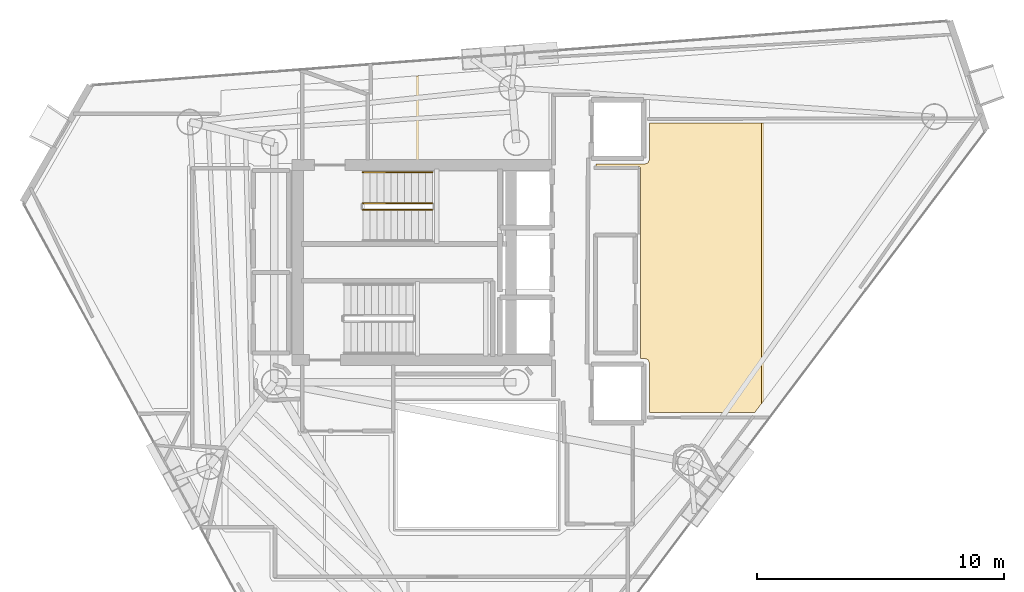
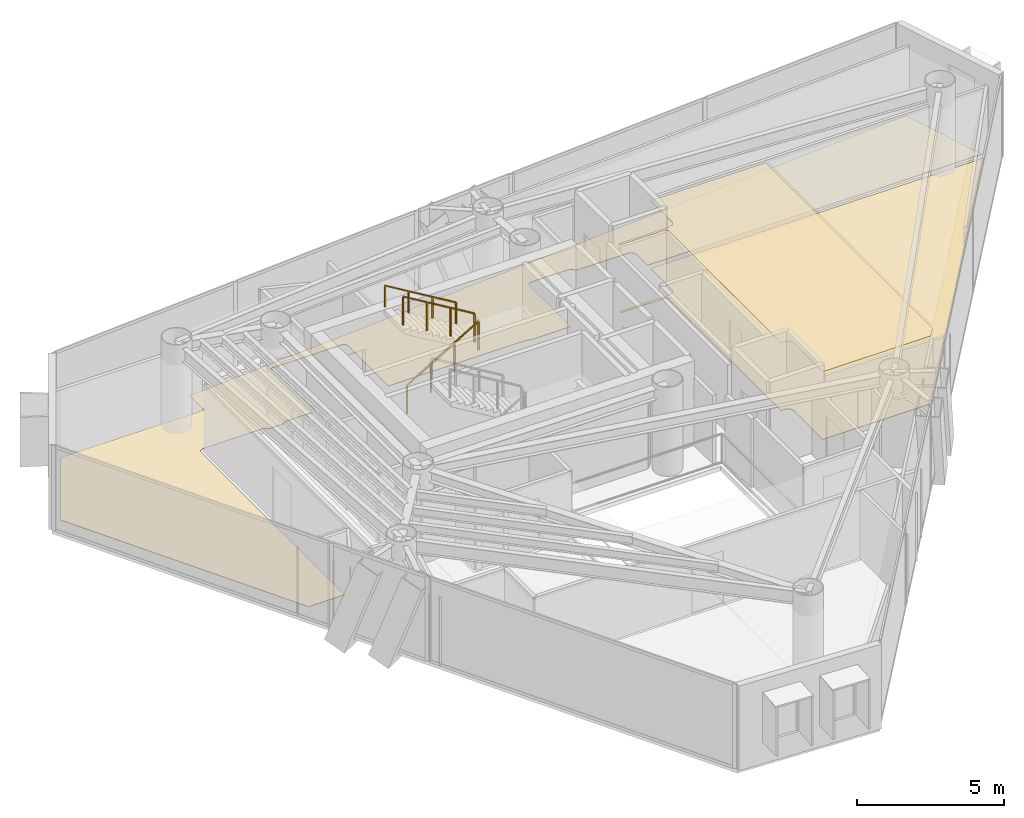
# One storey, part 18 of 19: 3 coverings, 3 railings.
"""IFC4 building model written with IfcOpenShell, lengths in metres."""

from ifc_helpers import new_model, si_unit, direction, frame, origin, origin_2d, place, context, subcontext, project, spatial, polyline, rectangle, outline, extrude, material, layer, layer_set, type_object, element, save


model = new_model("IFC4")

# Units and contexts
model_context = context("Model", 3, precision=1e-05, world=origin(), true_north=direction((0.0, 1.0)))
body_context = subcontext(model_context, "Body", "Model", "MODEL_VIEW")
ifc_project = project(units=[si_unit("LENGTHUNIT", "METRE"), si_unit("AREAUNIT", "SQUARE_METRE"), si_unit("VOLUMEUNIT", "CUBIC_METRE"), si_unit("PLANEANGLEUNIT", "RADIAN"), si_unit("MASSUNIT", "GRAM", prefix="KILO")], contexts=[model_context])

# Site, building, storey
site_placement = place(None, origin())
site = spatial("IfcSite", under=ifc_project, at=site_placement, CompositionType="ELEMENT")
building_placement = place(site_placement, origin())
building = spatial("IfcBuilding", under=site, at=building_placement, Name="Qianvela Tower", CompositionType="ELEMENT")
storey_placement = place(building_placement, frame((0.0, 0.0, 268.60009765625)))
storey = spatial("IfcBuildingStorey", under=building, at=storey_placement, Name="L69", CompositionType="ELEMENT", Elevation=268.60009765625)

# Coverings
ifc_material_1 = material(Name="Perforated Mineral Acoustic Ceiling Tile")
ifc_layer_1 = layer(ifc_material_1, 0.02490234375)
ifc_layer_set_1 = layer_set([ifc_layer_1], Name="Perforated Mineral Acoustic Ceiling Tile")
covering_type_1 = type_object("IfcCoveringType", Name="COV-CEIL-ACOUSTIC-25", PredefinedType="CEILING", material=ifc_layer_set_1)
covering_1_placement = place(storey_placement, frame((0.0, 0.0, 2.81494140625)))
element("IfcCovering", 1, at=covering_1_placement, inside=storey, type_object=covering_type_1, Name="L69 Acoustic Ceiling Bay 1 Media Practice Cinema L69-04", PredefinedType="CEILING", context=body_context, shape_type="SweptSolid", body=[
    extrude(outline(polyline([(43.426513671875, 24.826904296875), (43.428466796875, 24.83447265625), (43.4296875, 24.84228515625), (43.429931640625, 24.85009765625), (43.429931640625, 32.5), (43.4296875, 32.5078125), (43.428466796875, 32.515625), (43.426513671875, 32.523193359375), (43.423828125, 32.530517578125), (43.420654296875, 32.53759765625), (43.41650390625, 32.54443359375), (43.411865234375, 32.55078125), (43.406494140625, 32.556640625), (43.40087890625, 32.561767578125), (43.394287109375, 32.56640625), (43.3876953125, 32.570556640625), (43.380615234375, 32.573974609375), (43.373291015625, 32.57666015625), (43.365478515625, 32.57861328125), (43.35791015625, 32.57958984375), (43.35009765625, 32.580078125), (41.6220703125, 32.580078125), (41.6220703125, 32.679931640625), (43.580078125, 32.679931640625), (43.587890625, 32.680419921875), (43.595703125, 32.681396484375), (43.603271484375, 32.683349609375), (43.610595703125, 32.68603515625), (43.709716796875, 32.72705078125), (43.716796875, 32.73046875), (43.723388671875, 32.734619140625), (43.729736328125, 32.7392578125), (43.735595703125, 32.744384765625), (43.74072265625, 32.750244140625), (43.74560546875, 32.756591796875), (43.74951171875, 32.76318359375), (43.7529296875, 32.7705078125), (43.7939453125, 32.869384765625), (43.796630859375, 32.876708984375), (43.798583984375, 32.884521484375), (43.799560546875, 32.89208984375), (43.800048828125, 32.89990234375), (43.800048828125, 34.340087890625), (48.32763671875, 34.3466796875), (48.32763671875, 22.984375), (48.0546875, 22.6220703125), (43.800048828125, 22.6220703125), (43.800048828125, 24.60009765625), (43.799560546875, 24.60791015625), (43.798583984375, 24.615478515625), (43.796630859375, 24.623291015625), (43.7939453125, 24.630615234375), (43.7529296875, 24.7294921875), (43.74951171875, 24.73681640625), (43.74560546875, 24.743408203125), (43.74072265625, 24.749755859375), (43.735595703125, 24.755615234375), (43.729736328125, 24.7607421875), (43.723388671875, 24.765380859375), (43.716796875, 24.76953125), (43.709716796875, 24.77294921875), (43.610595703125, 24.81396484375), (43.603271484375, 24.816650390625), (43.595703125, 24.818603515625), (43.587890625, 24.819580078125), (43.580078125, 24.820068359375), (43.424072265625, 24.820068359375), (43.426513671875, 24.826904296875)])), origin(), (0.0, 0.0, 1.0), 0.02490234375),
])
ifc_material_2 = material(Name="Engineered Acoustic Oak Timber Flooring", Category="wood")
ifc_layer_2 = layer(ifc_material_2, 0.02001953125)
ifc_layer_set_2 = layer_set([ifc_layer_2], Name="Engineered Acoustic Oak Timber Flooring")
covering_type_2 = type_object("IfcCoveringType", Name="COV-FLOOR-OAK-20", PredefinedType="FLOORING", material=ifc_layer_set_2)
covering_2_placement = place(storey_placement, origin())
element("IfcCovering", 2, at=covering_2_placement, inside=storey, type_object=covering_type_2, Name="L69 Finish Flooring Student Reading Library L69-03", PredefinedType="FLOORING", context=body_context, shape_type="SweptSolid", body=[
    extrude(outline(polyline([(26.44189453125, 35.662109375), (55.860107421875, 37.867431640625), (56.96728515625, 34.5810546875), (43.7998046875, 34.56201171875), (43.79931640625, 35.313720703125), (43.798828125, 35.321533203125), (43.7978515625, 35.329345703125), (43.7958984375, 35.3369140625), (43.793212890625, 35.34423828125), (43.76220703125, 35.41943359375), (43.7587890625, 35.426513671875), (43.754638671875, 35.433349609375), (43.75, 35.439697265625), (43.744873046875, 35.4453125), (43.739013671875, 35.45068359375), (43.732666015625, 35.455322265625), (43.6650390625, 35.50048828125), (43.658447265625, 35.50439453125), (43.6513671875, 35.5078125), (43.64404296875, 35.510498046875), (43.636474609375, 35.512451171875), (43.628662109375, 35.513671875), (43.620849609375, 35.513916015625), (41.515625, 35.519775390625), (41.513916015625, 35.554931640625), (41.512939453125, 35.562744140625), (41.511474609375, 35.5703125), (41.509033203125, 35.577880859375), (41.506103515625, 35.585205078125), (41.50244140625, 35.591796875), (41.498046875, 35.598388671875), (41.4931640625, 35.6044921875), (41.487548828125, 35.60986328125), (41.481689453125, 35.614990234375), (41.41552734375, 35.663818359375), (41.408447265625, 35.668701171875), (41.40087890625, 35.672607421875), (41.392822265625, 35.675537109375), (41.384765625, 35.677734375), (41.376220703125, 35.67919921875), (41.367919921875, 35.6796875), (39.872314453125, 35.6796875), (39.8642578125, 35.67919921875), (39.856689453125, 35.677978515625), (39.848876953125, 35.67626953125), (39.841552734375, 35.673583984375), (39.83447265625, 35.670166015625), (39.780517578125, 35.641357421875), (39.774169921875, 35.637451171875), (39.768310546875, 35.63330078125), (39.7626953125, 35.62841796875), (39.757568359375, 35.623046875), (39.7529296875, 35.6171875), (39.7490234375, 35.611083984375), (39.74560546875, 35.6044921875), (39.742919921875, 35.59765625), (39.724609375, 35.547119140625), (39.72216796875, 35.5380859375), (39.720458984375, 35.529052734375), (39.719970703125, 35.52001953125), (39.719970703125, 32.719970703125), (38.125, 32.719970703125), (38.03369140625, 32.762451171875), (38.025634765625, 32.765625), (38.017333984375, 32.76806640625), (38.0087890625, 32.76953125), (38.0, 32.77001953125), (32.580078125, 32.77001953125), (32.580078125, 35.52001953125), (32.57958984375, 35.52783203125), (32.57861328125, 35.53564453125), (32.57666015625, 35.543212890625), (32.573974609375, 35.550537109375), (32.550537109375, 35.607177734375), (32.547119140625, 35.6142578125), (32.543212890625, 35.62109375), (32.538330078125, 35.627197265625), (32.533203125, 35.633056640625), (32.52734375, 35.638427734375), (32.52099609375, 35.64306640625), (32.514404296875, 35.647216796875), (32.507080078125, 35.650390625), (32.45068359375, 35.673828125), (32.443115234375, 35.676513671875), (32.435546875, 35.678466796875), (32.427734375, 35.6796875), (32.419921875, 35.679931640625), (29.669189453125, 35.673828125), (29.661376953125, 35.673583984375), (29.653564453125, 35.67236328125), (29.64599609375, 35.67041015625), (29.638671875, 35.667724609375), (29.631591796875, 35.664306640625), (29.625, 35.660400390625), (29.61865234375, 35.65576171875), (29.61279296875, 35.650390625), (29.607421875, 35.64453125), (29.602783203125, 35.638427734375), (29.553466796875, 35.564453125), (29.54931640625, 35.5576171875), (29.546142578125, 35.550537109375), (29.54345703125, 35.543212890625), (29.54150390625, 35.53564453125), (29.540283203125, 35.52783203125), (29.5400390625, 35.52001953125), (29.5400390625, 32.700439453125), (28.54296875, 32.709716796875), (28.53662109375, 32.70947265625), (28.530029296875, 32.708740234375), (28.4677734375, 32.69921875), (28.460205078125, 32.697509765625), (28.452880859375, 32.6953125), (28.446044921875, 32.6923828125), (28.439208984375, 32.688720703125), (28.432861328125, 32.6845703125), (28.427001953125, 32.6796875), (28.42138671875, 32.674560546875), (28.41650390625, 32.668701171875), (28.412109375, 32.662353515625), (28.408447265625, 32.65576171875), (28.405517578125, 32.648681640625), (28.403076171875, 32.6416015625), (28.4013671875, 32.634033203125), (28.400390625, 32.62646484375), (28.39892578125, 32.609619140625), (27.7626953125, 32.607666015625), (27.759521484375, 32.6201171875), (27.757080078125, 32.62744140625), (27.754150390625, 32.634765625), (27.75048828125, 32.6416015625), (27.74609375, 32.648193359375), (27.7412109375, 32.654296875), (27.735595703125, 32.659912109375), (27.7294921875, 32.6650390625), (27.722900390625, 32.66943359375), (27.716064453125, 32.673095703125), (27.654296875, 32.702392578125), (27.647705078125, 32.705078125), (27.64111328125, 32.707275390625), (27.634033203125, 32.708740234375), (27.627197265625, 32.709716796875), (27.6201171875, 32.7099609375), (25.25, 32.7099609375), (25.2421875, 32.709716796875), (25.234375, 32.70849609375), (25.226806640625, 32.70654296875), (25.219482421875, 32.703857421875), (25.21240234375, 32.70068359375), (25.20556640625, 32.696533203125), (25.131591796875, 32.647216796875), (25.125244140625, 32.642578125), (25.119384765625, 32.63720703125), (25.1142578125, 32.63134765625), (25.109619140625, 32.625), (25.10546875, 32.618408203125), (25.102294921875, 32.611328125), (25.099609375, 32.60400390625), (25.09765625, 32.59619140625), (25.096435546875, 32.58837890625), (25.09619140625, 32.580810546875), (25.090087890625, 22.780029296875), (23.75830078125, 22.780029296875), (23.75146484375, 22.77978515625), (23.744873046875, 22.77880859375), (23.73828125, 22.777587890625), (23.6826171875, 22.76318359375), (18.9296875, 31.46630859375), (20.781982421875, 34.677978515625), (26.362060546875, 34.677978515625), (26.369873046875, 34.678466796875), (26.377685546875, 34.679443359375), (26.38525390625, 34.681396484375), (26.392578125, 34.68408203125), (26.399658203125, 34.6875), (26.406494140625, 34.69140625), (26.412841796875, 34.6962890625), (26.418701171875, 34.701416015625), (26.423828125, 34.707275390625), (26.428466796875, 34.713623046875), (26.4326171875, 34.72021484375), (26.435791015625, 34.727294921875), (26.438720703125, 34.73486328125), (26.4404296875, 34.742431640625), (26.441650390625, 34.750244140625), (26.44189453125, 34.758056640625), (26.44189453125, 35.662109375)])), origin(), (0.0, 0.0, 1.0), 0.02001953125),
])
covering_3_placement = place(storey_placement, origin())
element("IfcCovering", 3, at=covering_3_placement, inside=storey, type_object=covering_type_2, Name="L69 Finish Flooring Media Practice Cinema L69-04", PredefinedType="FLOORING", context=body_context, shape_type="SweptSolid", body=[
    extrude(outline(polyline([(43.424072265625, 24.820068359375), (43.426513671875, 24.826904296875), (43.428466796875, 24.83447265625), (43.4296875, 24.84228515625), (43.429931640625, 24.85009765625), (43.429931640625, 32.5), (43.4296875, 32.5078125), (43.428466796875, 32.515625), (43.426513671875, 32.523193359375), (43.423828125, 32.530517578125), (43.420654296875, 32.53759765625), (43.41650390625, 32.54443359375), (43.411865234375, 32.55078125), (43.406494140625, 32.556640625), (43.40087890625, 32.561767578125), (43.394287109375, 32.56640625), (43.3876953125, 32.570556640625), (43.380615234375, 32.573974609375), (43.373291015625, 32.57666015625), (43.365478515625, 32.57861328125), (43.35791015625, 32.57958984375), (43.35009765625, 32.580078125), (41.6220703125, 32.580078125), (41.6220703125, 32.679931640625), (43.580078125, 32.679931640625), (43.587890625, 32.680419921875), (43.595703125, 32.681396484375), (43.603271484375, 32.683349609375), (43.610595703125, 32.68603515625), (43.709716796875, 32.72705078125), (43.716796875, 32.73046875), (43.723388671875, 32.734619140625), (43.729736328125, 32.7392578125), (43.735595703125, 32.744384765625), (43.74072265625, 32.750244140625), (43.74560546875, 32.756591796875), (43.74951171875, 32.76318359375), (43.7529296875, 32.7705078125), (43.7939453125, 32.869384765625), (43.796630859375, 32.876708984375), (43.798583984375, 32.884521484375), (43.799560546875, 32.89208984375), (43.800048828125, 32.89990234375), (43.800048828125, 34.340087890625), (56.901123046875, 34.35888671875), (48.0546875, 22.6220703125), (43.800048828125, 22.6220703125), (43.800048828125, 24.60009765625), (43.799560546875, 24.60791015625), (43.798583984375, 24.615478515625), (43.796630859375, 24.623291015625), (43.7939453125, 24.630615234375), (43.7529296875, 24.7294921875), (43.74951171875, 24.73681640625), (43.74560546875, 24.743408203125), (43.74072265625, 24.749755859375), (43.735595703125, 24.755615234375), (43.729736328125, 24.7607421875), (43.723388671875, 24.765380859375), (43.716796875, 24.76953125), (43.709716796875, 24.77294921875), (43.610595703125, 24.81396484375), (43.603271484375, 24.816650390625), (43.595703125, 24.818603515625), (43.587890625, 24.819580078125), (43.580078125, 24.820068359375), (43.424072265625, 24.820068359375)])), origin(), (0.0, 0.0, 1.0), 0.02001953125),
])

# Railings
ifc_material_3 = material(Name="Painted Tubular Steel Q355B", Category="steel")
railing_type_1 = type_object("IfcRailingType", Name="RL-STAIR-GUARD-1200", PredefinedType="GUARDRAIL", material=ifc_material_3)
railing_1_placement = place(storey_placement, frame((32.199951171875, 30.840087890625, 0.16796875)))
element("IfcRailing", 4, at=railing_1_placement, inside=storey, type_object=railing_type_1, Name="L69 ST-1 stair guard 1", PredefinedType="GUARDRAIL", context=body_context, shape_type="SweptSolid", body=[
    extrude(rectangle(XDim=0.050048828125, YDim=0.0400390625, at=origin_2d()), frame((0.0, 0.0, 1.179931640625), z_axis=(0.857242210791, 0.0, 0.514913383045), x_axis=(0.0, 1.0, 0.0)), (0.0, 0.0, 1.0), 3.266357421875),
    extrude(rectangle(XDim=0.050048828125, YDim=0.050048828125, at=origin_2d()), origin(), (0.0, 0.0, 1.0), 1.159912109375),
    extrude(rectangle(XDim=0.050048828125, YDim=0.050048828125, at=origin_2d()), frame((0.933349609375, 0.0, 0.560546875)), (0.0, 0.0, 1.0), 1.159912109375),
    extrude(rectangle(XDim=0.050048828125, YDim=0.050048828125, at=origin_2d()), frame((1.86669921875, 0.0, 1.121337890625)), (0.0, 0.0, 1.0), 1.159912109375),
    extrude(rectangle(XDim=0.050048828125, YDim=0.050048828125, at=origin_2d()), frame((2.800048828125, 0.0, 1.681884765625)), (0.0, 0.0, 1.0), 1.159912109375),
])
railing_2_placement = place(storey_placement, frame((35.0, 31.10009765625, 2.01806640625)))
element("IfcRailing", 5, at=railing_2_placement, inside=storey, type_object=railing_type_1, Name="L69 ST-1 stair guard 3", PredefinedType="GUARDRAIL", context=body_context, shape_type="SweptSolid", body=[
    extrude(rectangle(XDim=0.050048828125, YDim=0.0400390625, at=origin_2d()), frame((0.0, 0.0, 1.179931640625), z_axis=(-0.857242210791, 0.0, 0.514913383045), x_axis=(0.0, -1.0, 0.0)), (0.0, 0.0, 1.0), 3.266357421875),
    extrude(rectangle(XDim=0.050048828125, YDim=0.050048828125, at=origin_2d()), origin(), (0.0, 0.0, 1.0), 1.159912109375),
    extrude(rectangle(XDim=0.050048828125, YDim=0.050048828125, at=origin_2d()), frame((-0.933349609375, 0.0, 0.560546875)), (0.0, 0.0, 1.0), 1.159912109375),
    extrude(rectangle(XDim=0.050048828125, YDim=0.050048828125, at=origin_2d()), frame((-1.86669921875, 0.0, 1.121337890625)), (0.0, 0.0, 1.0), 1.159912109375),
    extrude(rectangle(XDim=0.050048828125, YDim=0.050048828125, at=origin_2d()), frame((-2.800048828125, 0.0, 1.681884765625)), (0.0, 0.0, 1.0), 1.159912109375),
])
ifc_material_4 = material(Name="Brushed Stainless Steel 304", Category="steel")
railing_type_2 = type_object("IfcRailingType", Name="RL-STAIR-HANDRAIL-900", PredefinedType="HANDRAIL", material=ifc_material_4)
railing_3_placement = place(storey_placement, frame((35.0, 32.35009765625, 2.01806640625)))
element("IfcRailing", 6, at=railing_3_placement, inside=storey, type_object=railing_type_2, Name="L69 ST-1 stair handrail 2", PredefinedType="HANDRAIL", context=body_context, shape_type="SweptSolid", body=[
    extrude(rectangle(XDim=0.050048828125, YDim=0.0400390625, at=origin_2d()), frame((0.0, 0.0, 0.8798828125), z_axis=(-0.857242210791, 0.0, 0.514913383045), x_axis=(0.0, -1.0, 0.0)), (0.0, 0.0, 1.0), 3.266357421875),
    extrude(rectangle(XDim=0.050048828125, YDim=0.050048828125, at=origin_2d()), origin(), (0.0, 0.0, 1.0), 0.85986328125),
    extrude(rectangle(XDim=0.050048828125, YDim=0.050048828125, at=origin_2d()), frame((-0.933349609375, 0.0, 0.560546875)), (0.0, 0.0, 1.0), 0.85986328125),
    extrude(rectangle(XDim=0.050048828125, YDim=0.050048828125, at=origin_2d()), frame((-1.86669921875, 0.0, 1.121337890625)), (0.0, 0.0, 1.0), 0.85986328125),
    extrude(rectangle(XDim=0.050048828125, YDim=0.050048828125, at=origin_2d()), frame((-2.800048828125, 0.0, 1.681884765625)), (0.0, 0.0, 1.0), 0.85986328125),
])

save(model, "model.ifc")
